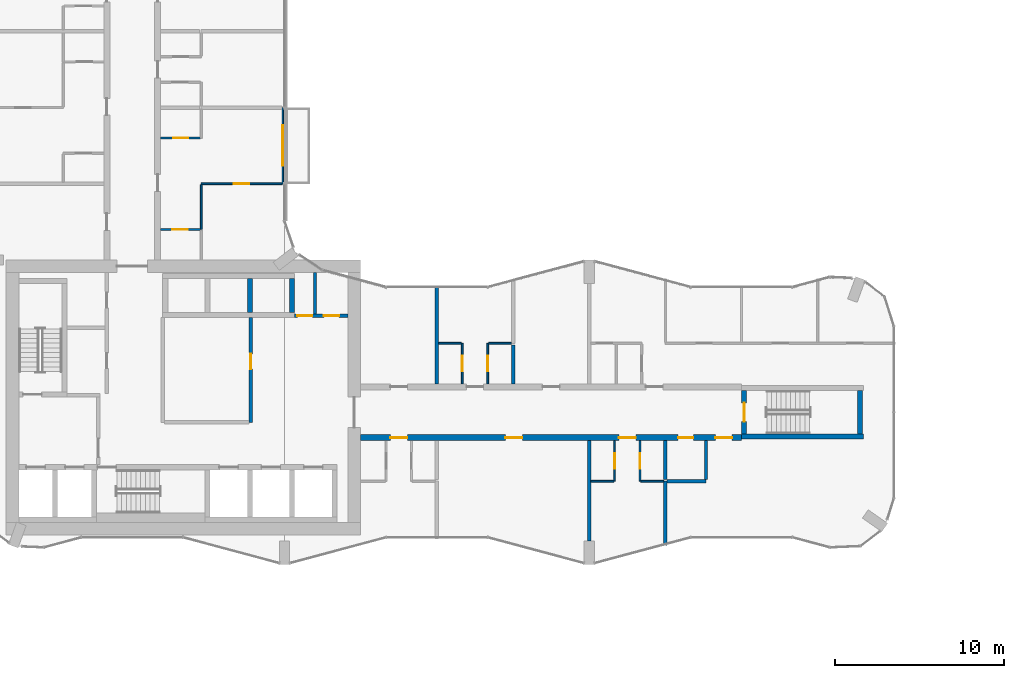
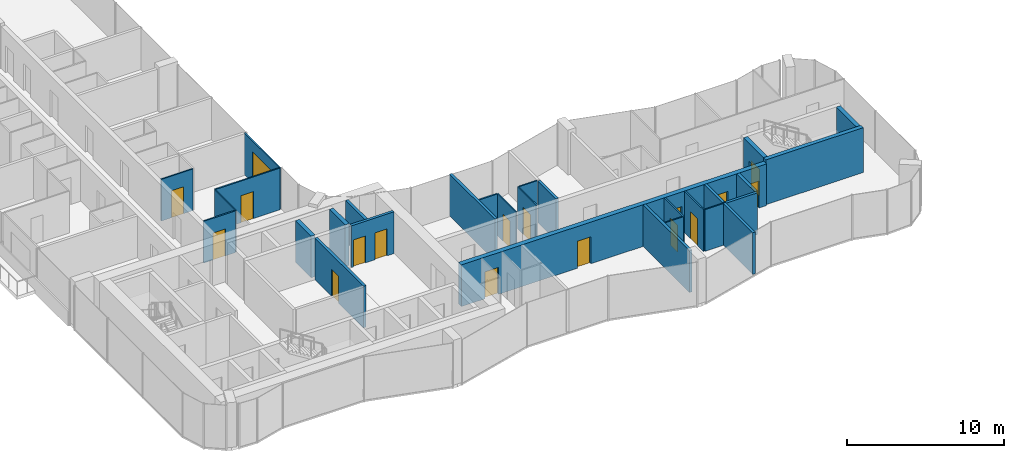
# One storey, part 14 of 22: 29 walls, 17 doors, 17 openings.
"""IFC4 building model written with IfcOpenShell, lengths in metres."""

import ifcopenshell
import ifcopenshell.guid

model = None  # the IFC model being written
_history = None  # IfcOwnerHistory: only IFC2X3 demands one
_inside = {}  # id of a spatial element -> (the spatial element, [elements in it])
_under = {}  # id of a project, library or spatial element -> (it, [spatial elements below it])
_declared = {}  # id of a project -> (the project, [libraries it declares])
_typed = {}  # id of a type object -> (the type object, [elements of that type])
_made_of = {}  # id of a material, layer set ... -> (it, [elements and type objects made of it])


def new_model(schema):
    """Start an empty IFC model of exactly this schema.

    Asked for "IFC4X3", IfcOpenShell would pick the latest addendum, in which some entities
    have other attributes; the version numbers below select the first issue.
    IFC2X3 requires an IfcOwnerHistory on every rooted entity: one is made here for all.
    """
    global model, _history
    if schema == "IFC4X3":
        model = ifcopenshell.file(schema_version=(4, 3, 0, 0))
    else:
        model = ifcopenshell.file(schema=schema)
    _inside.clear()
    _under.clear()
    _declared.clear()
    _typed.clear()
    _made_of.clear()
    _history = None
    if model.schema == "IFC2X3":
        org = make("IfcOrganization", Name="unknown")
        user = make(
            "IfcPersonAndOrganization",
            ThePerson=make("IfcPerson", FamilyName="unknown"),
            TheOrganization=org,
        )
        app = make(
            "IfcApplication",
            ApplicationDeveloper=org,
            Version="unknown",
            ApplicationFullName="unknown",
            ApplicationIdentifier="unknown",
        )
        _history = make(
            "IfcOwnerHistory",
            OwningUser=user,
            OwningApplication=app,
            ChangeAction="ADDED",
            CreationDate=0,
        )
    return model


def make(cls, **values):
    """One entity of the class cls with the attributes given. An attribute that is None is left unset."""
    return model.create_entity(
        cls, **{name: value for name, value in values.items() if value is not None}
    )


def rooted(cls, **values):
    """An entity with a GlobalId (a new one), such as an element, a storey or a relation."""
    return make(cls, GlobalId=ifcopenshell.guid.new(), OwnerHistory=_history, **values)


def si_unit(unit_type, name, prefix=None):
    """IfcSIUnit, for example si_unit("LENGTHUNIT", "METRE", prefix="MILLI")."""
    return make("IfcSIUnit", UnitType=unit_type, Prefix=prefix, Name=name)


def assignment(units):
    """IfcUnitAssignment: the units of a project."""
    return None if units is None else make("IfcUnitAssignment", Units=units)


def point(xyz):
    """IfcCartesianPoint."""
    return None if xyz is None else make("IfcCartesianPoint", Coordinates=xyz)


def direction(xyz):
    """IfcDirection."""
    return None if xyz is None else make("IfcDirection", DirectionRatios=xyz)


def frame(location, z_axis=None, x_axis=None):
    """IfcAxis2Placement3D, a coordinate frame: its origin and axes. An axis left out is left unset."""
    return make(
        "IfcAxis2Placement3D",
        Location=point(location),
        Axis=direction(z_axis),
        RefDirection=direction(x_axis),
    )


def frame_2d(location, x_axis=None):
    """IfcAxis2Placement2D, a coordinate frame in the plane: its origin and x axis."""
    return make(
        "IfcAxis2Placement2D", Location=point(location), RefDirection=direction(x_axis)
    )


def origin():
    """The frame at (0, 0, 0) with its axes left unset."""
    return frame((0.0, 0.0, 0.0))


def place(relative_to, where):
    """IfcLocalPlacement: puts the frame where relative to a parent placement (None: the world)."""
    return make(
        "IfcLocalPlacement", PlacementRelTo=relative_to, RelativePlacement=where
    )


def context(
    kind, dimensions, precision=None, world=None, true_north=None, identifier=None
):
    """IfcGeometricRepresentationContext, for example the 3D "Model" context."""
    return make(
        "IfcGeometricRepresentationContext",
        ContextIdentifier=identifier,
        ContextType=kind,
        CoordinateSpaceDimension=dimensions,
        Precision=precision,
        WorldCoordinateSystem=world,
        TrueNorth=true_north,
    )


def subcontext(parent, identifier, kind, view, scale=None):
    """IfcGeometricRepresentationSubContext, for example "Body" below "Model"."""
    return make(
        "IfcGeometricRepresentationSubContext",
        ContextIdentifier=identifier,
        ContextType=kind,
        ParentContext=parent,
        TargetScale=scale,
        TargetView=view,
    )


def project(units=None, contexts=None):
    """IfcProject with its units and contexts."""
    return rooted(
        "IfcProject",
        Name="project",
        RepresentationContexts=contexts,
        UnitsInContext=assignment(units),
    )


def spatial(cls, under=None, at=None, **own):
    """A site, building, storey or space (cls), placed at a placement, below another one or the project."""
    s = rooted(cls, ObjectPlacement=at, **own)
    if under is not None:
        _under.setdefault(under.id(), (under, []))[1].append(s)
    return s


def profile(cls, at=None, kind="AREA", **sizes):
    """A parametric profile (cls). Its sizes go by their IFC names, for example OverallWidth=200.0."""
    return make(cls, ProfileType=kind, Position=at, **sizes)


def rectangle(**sizes):
    """IfcRectangleProfileDef."""
    return profile("IfcRectangleProfileDef", **sizes)


def extrude(swept, where, along, depth):
    """IfcExtrudedAreaSolid: the profile swept, set in the frame where, extruded along a direction by depth."""
    return make(
        "IfcExtrudedAreaSolid",
        SweptArea=swept,
        Position=where,
        ExtrudedDirection=direction(along),
        Depth=depth,
    )


def shape(context_of_items, identifier, shape_type, items):
    """IfcShapeRepresentation: the items that make up one representation, for example the "Body"."""
    return make(
        "IfcShapeRepresentation",
        ContextOfItems=context_of_items,
        RepresentationIdentifier=identifier,
        RepresentationType=shape_type,
        Items=items,
    )


def material(Name=None, Category=None):
    """IfcMaterial."""
    return make("IfcMaterial", Name=Name, Category=Category)


def layer(
    of_material, thickness, ventilated=None, Name=None, Category=None, Priority=None
):
    """IfcMaterialLayer: one layer of a wall or slab, of a material (None: an air gap)."""
    return make(
        "IfcMaterialLayer",
        Material=of_material,
        LayerThickness=thickness,
        IsVentilated=ventilated,
        Name=Name,
        Category=Category,
        Priority=Priority,
    )


def layer_set(layers, Name=None):
    """IfcMaterialLayerSet."""
    return make("IfcMaterialLayerSet", MaterialLayers=layers, LayerSetName=Name)


def made_of(thing, what):
    """Note that an element or type object is made of a material, layer set ...; save() writes the relation."""
    if what is not None:
        _made_of.setdefault(what.id(), (what, []))[1].append(thing)
    return thing


def type_object(cls, material=None, **own):
    """A type object (cls), such as IfcWallType, which elements share."""
    return made_of(rooted(cls, **own), material)


def element(
    cls,
    number,
    at=None,
    inside=None,
    cuts=None,
    type_object=None,
    material=None,
    context=None,
    identifier="Body",
    shape_type=None,
    held_by="IfcProductDefinitionShape",
    body=None,
    shapes=None,
    **own,
):
    """One element of the class cls, such as IfcWall. Its Tag is "e" and its number.

    at: its placement. inside: the storey or other place that contains it. cuts: it is an
    opening in that element (IfcRelVoidsElement). A single representation is given by context,
    identifier, shape_type and body (its items); several are given by shapes. held_by: the class
    of the entity that holds the representations. save() writes the other relations.
    """
    e = rooted(cls, Tag="e%d" % number, ObjectPlacement=at, **own)
    if body is not None:
        shapes = [shape(context, identifier, shape_type, body)]
    if shapes is not None:
        e.Representation = make(held_by, Representations=shapes)
    if inside is not None:
        _inside.setdefault(inside.id(), (inside, []))[1].append(e)
    if cuts is not None:
        rooted(
            "IfcRelVoidsElement", RelatingBuildingElement=cuts, RelatedOpeningElement=e
        )
    if type_object is not None:
        _typed.setdefault(type_object.id(), (type_object, []))[1].append(e)
    return made_of(e, material)


def fill(opening, filler):
    """IfcRelFillsElement: the door or window that sits in an opening."""
    return rooted(
        "IfcRelFillsElement",
        RelatingOpeningElement=opening,
        RelatedBuildingElement=filler,
    )


def aggregate(whole, parts):
    """IfcRelAggregates: a whole, such as a stair, and the parts it consists of."""
    return rooted("IfcRelAggregates", RelatingObject=whole, RelatedObjects=parts)


def save(model, path):
    """Write the relations noted so far, then the file.

    IfcRelAggregates (storeys below a building ...), IfcRelContainedInSpatialStructure (elements
    in a storey), IfcRelDefinesByType, IfcRelAssociatesMaterial and IfcRelDeclares: one each for
    every whole, place, type object, material and project.
    """
    for whole, parts in _under.values():
        aggregate(whole, parts)
    for where, things in _inside.values():
        rooted(
            "IfcRelContainedInSpatialStructure",
            RelatedElements=things,
            RelatingStructure=where,
        )
    for kind, things in _typed.values():
        rooted("IfcRelDefinesByType", RelatedObjects=things, RelatingType=kind)
    for what, things in _made_of.values():
        rooted("IfcRelAssociatesMaterial", RelatedObjects=things, RelatingMaterial=what)
    for by, libraries in _declared.values():
        rooted("IfcRelDeclares", RelatingContext=by, RelatedDefinitions=libraries)
    model.write(path)


model = new_model("IFC4")

# Units and contexts
model_context = context("Model", 3, precision=1e-05, world=origin(), true_north=direction((0.0, 1.0)))
body_context = subcontext(model_context, "Body", "Model", "MODEL_VIEW")
ifc_project = project(units=[si_unit("LENGTHUNIT", "METRE"), si_unit("AREAUNIT", "SQUARE_METRE"), si_unit("VOLUMEUNIT", "CUBIC_METRE"), si_unit("PLANEANGLEUNIT", "RADIAN"), si_unit("MASSUNIT", "GRAM", prefix="KILO")], contexts=[model_context])

# Site, building, storey
site_placement = place(None, origin())
site = spatial("IfcSite", under=ifc_project, at=site_placement, CompositionType="ELEMENT")
building_placement = place(site_placement, origin())
building = spatial("IfcBuilding", under=site, at=building_placement, Name="Plateau Cross Towers", CompositionType="ELEMENT")
storey_placement = place(building_placement, frame((0.0, 0.0, 54.800048828125)))
storey = spatial("IfcBuildingStorey", under=building, at=storey_placement, Name="L13", CompositionType="ELEMENT", Elevation=54.800048828125)

# Wall, opening, door
ifc_material_1 = material(Name="Aluminium framed glazing", Category="aluminium")
ifc_layer_1 = layer(ifc_material_1, 0.10009765625)
ifc_layer_set_1 = layer_set([ifc_layer_1], Name="Aluminium framed glazing")
wall_type_1 = type_object("IfcWallType", Name="Balcony screen wall 100", PredefinedType="STANDARD", material=ifc_layer_set_1)
wall_1_placement = place(storey_placement, frame((17.89990234375, 27.0, 0.0), z_axis=(0.0, 0.0, 1.0), x_axis=(0.0, -1.0, 0.0)))
wall_1 = element("IfcWall", 1, at=wall_1_placement, inside=storey, type_object=wall_type_1, Name="Balcony screen wall A-BAL-L13-04", PredefinedType="STANDARD", context=body_context, shape_type="SweptSolid", body=[
    extrude(rectangle(XDim=4.5, YDim=0.10009765625, at=frame_2d((2.25, 0.0))), origin(), (0.0, 0.0, 1.0), 3.25),
])
opening_1_placement = place(wall_1_placement, frame((1.050048828125, 0.0, 0.0)))
opening_1 = element("IfcOpeningElement", 2, at=opening_1_placement, cuts=wall_1, Name="Opening D-B24", PredefinedType="OPENING", context=body_context, shape_type="SweptSolid", body=[
    extrude(rectangle(XDim=2.39990234375, YDim=2.39990234375, at=frame_2d((1.199951171875, 1.199951171875))), frame((0.0, 0.06005859375, 0.0), z_axis=(0.0, -1.0, 0.0), x_axis=(1.0, 0.0, 0.0)), (0.0, 0.0, 1.0), 0.1201171875),
])
ifc_material_2 = material(Name="Aluminium frame, double glazing", Category="aluminium")
door_type_1 = type_object("IfcDoorType", Name="Balcony sliding door 2400", OperationType="NOTDEFINED", PredefinedType="DOOR", material=ifc_material_2)
door_1_placement = place(opening_1_placement, origin())
door_1 = element("IfcDoor", 3, at=door_1_placement, inside=storey, type_object=door_type_1, Name="Balcony door A-BAL-L13-04", OperationType="SINGLE_SWING_LEFT", OverallHeight=2.39990234375, OverallWidth=2.39990234375, PredefinedType="DOOR", context=body_context, shape_type="SweptSolid", body=[
    extrude(rectangle(XDim=2.39990234375, YDim=2.39990234375, at=frame_2d((1.199951171875, 1.199951171875))), frame((0.0, 0.02490234375, 0.0), z_axis=(0.0, -1.0, 0.0), x_axis=(1.0, 0.0, 0.0)), (0.0, 0.0, 1.0), 0.050048828125),
])
fill(opening_1, door_1)

ifc_material_3 = material(Name="Concrete block, plastered both sides", Category="concrete")
ifc_layer_2 = layer(ifc_material_3, 0.199951171875)
ifc_layer_set_2 = layer_set([ifc_layer_2], Name="Concrete block, plastered both sides")
wall_type_2 = type_object("IfcWallType", Name="Core partition 200", PredefinedType="PARTITIONING", material=ifc_layer_set_2)
wall_2_placement = place(storey_placement, frame((16.0, 8.39990234375, 0.0), z_axis=(0.0, 0.0, 1.0), x_axis=(0.0, 1.0, 0.0)))
wall_2 = element("IfcWall", 4, at=wall_2_placement, inside=storey, type_object=wall_type_2, Name="Core partition", PredefinedType="PARTITIONING", context=body_context, shape_type="SweptSolid", body=[
    extrude(rectangle(XDim=6.2001953125, YDim=0.199951171875, at=frame_2d((3.10009765625, 0.0))), origin(), (0.0, 0.0, 1.0), 3.25),
])
opening_2_placement = place(wall_2_placement, frame((3.14990234375, 0.0, 0.0)))
opening_2 = element("IfcOpeningElement", 5, at=opening_2_placement, cuts=wall_2, Name="Opening RD1", PredefinedType="OPENING", context=body_context, shape_type="SweptSolid", body=[
    extrude(rectangle(XDim=0.89990234375, YDim=2.10009765625, at=frame_2d((0.449951171875, 1.050048828125))), frame((0.0, 0.10986328125, 0.0), z_axis=(0.0, -1.0, 0.0), x_axis=(1.0, 0.0, 0.0)), (0.0, 0.0, 1.0), 0.219970703125),
])
ifc_material_4 = material(Name="Timber, fire-resisting leaf", Category="wood")
door_type_2 = type_object("IfcDoorType", Name="Core service door 900", OperationType="NOTDEFINED", PredefinedType="DOOR", material=ifc_material_4)
door_2_placement = place(opening_2_placement, origin())
door_2 = element("IfcDoor", 6, at=door_2_placement, inside=storey, type_object=door_type_2, Name="Core service door RD1", OperationType="SINGLE_SWING_LEFT", OverallHeight=2.10009765625, OverallWidth=0.89990234375, PredefinedType="DOOR", context=body_context, shape_type="SweptSolid", body=[
    extrude(rectangle(XDim=0.89990234375, YDim=2.10009765625, at=frame_2d((0.449951171875, 1.050048828125))), frame((0.0, 0.02490234375, 0.0), z_axis=(0.0, -1.0, 0.0), x_axis=(1.0, 0.0, 0.0)), (0.0, 0.0, 1.0), 0.050048828125),
])
fill(opening_2, door_2)

# Wall, openings, doors
wall_3_placement = place(storey_placement, frame((18.60009765625, 14.699951171875, 0.0), z_axis=(0.0, 0.0, 1.0), x_axis=(1.0, 0.0, 0.0)))
wall_3 = element("IfcWall", 7, at=wall_3_placement, inside=storey, type_object=wall_type_2, Name="Core partition", PredefinedType="PARTITIONING", context=body_context, shape_type="SweptSolid", body=[
    extrude(rectangle(XDim=3.14990234375, YDim=0.199951171875, at=frame_2d((1.574951171875, 0.0))), origin(), (0.0, 0.0, 1.0), 3.25),
])
opening_3_placement = place(wall_3_placement, frame((0.14990234375, 0.0, 0.0)))
opening_3 = element("IfcOpeningElement", 8, at=opening_3_placement, cuts=wall_3, Name="Opening RD2", PredefinedType="OPENING", context=body_context, shape_type="SweptSolid", body=[
    extrude(rectangle(XDim=0.89990234375, YDim=2.10009765625, at=frame_2d((0.449951171875, 1.050048828125))), frame((0.0, 0.10986328125, 0.0), z_axis=(0.0, -1.0, 0.0), x_axis=(1.0, 0.0, 0.0)), (0.0, 0.0, 1.0), 0.219970703125),
])
opening_4_placement = place(wall_3_placement, frame((1.72509765625, 0.0, 0.0)))
opening_4 = element("IfcOpeningElement", 9, at=opening_4_placement, cuts=wall_3, Name="Opening RD2", PredefinedType="OPENING", context=body_context, shape_type="SweptSolid", body=[
    extrude(rectangle(XDim=0.89990234375, YDim=2.10009765625, at=frame_2d((0.449951171875, 1.050048828125))), frame((0.0, 0.10986328125, 0.0), z_axis=(0.0, -1.0, 0.0), x_axis=(1.0, 0.0, 0.0)), (0.0, 0.0, 1.0), 0.219970703125),
])
ifc_material_5 = material(Name="Steel, fire-resisting leaf", Category="steel")
door_type_3 = type_object("IfcDoorType", Name="Core riser door 900", OperationType="NOTDEFINED", PredefinedType="DOOR", material=ifc_material_5)
door_3_placement = place(opening_3_placement, origin())
door_3 = element("IfcDoor", 10, at=door_3_placement, inside=storey, type_object=door_type_3, Name="Core riser door RD2", OperationType="SINGLE_SWING_LEFT", OverallHeight=2.10009765625, OverallWidth=0.89990234375, PredefinedType="DOOR", context=body_context, shape_type="SweptSolid", body=[
    extrude(rectangle(XDim=0.89990234375, YDim=2.10009765625, at=frame_2d((0.449951171875, 1.050048828125))), frame((0.0, 0.02490234375, 0.0), z_axis=(0.0, -1.0, 0.0), x_axis=(1.0, 0.0, 0.0)), (0.0, 0.0, 1.0), 0.050048828125),
])
fill(opening_3, door_3)
door_4_placement = place(opening_4_placement, origin())
door_4 = element("IfcDoor", 11, at=door_4_placement, inside=storey, type_object=door_type_3, Name="Core riser door RD2", OperationType="SINGLE_SWING_LEFT", OverallHeight=2.10009765625, OverallWidth=0.89990234375, PredefinedType="DOOR", context=body_context, shape_type="SweptSolid", body=[
    extrude(rectangle(XDim=0.89990234375, YDim=2.10009765625, at=frame_2d((0.449951171875, 1.050048828125))), frame((0.0, 0.02490234375, 0.0), z_axis=(0.0, -1.0, 0.0), x_axis=(1.0, 0.0, 0.0)), (0.0, 0.0, 1.0), 0.050048828125),
])
fill(opening_4, door_4)

# Walls
wall_4_placement = place(storey_placement, frame((19.800048828125, 14.800048828125, 0.0), z_axis=(0.0, 0.0, 1.0), x_axis=(0.0, 1.0, 0.0)))
element("IfcWall", 12, at=wall_4_placement, inside=storey, type_object=wall_type_2, Name="Core partition", PredefinedType="PARTITIONING", context=body_context, shape_type="SweptSolid", body=[
    extrude(rectangle(XDim=2.449951171875, YDim=0.199951171875, at=frame_2d((1.22509765625, 0.0))), origin(), (0.0, 0.0, 1.0), 3.25),
])
ifc_material_6 = material(Name="Concrete C60/75", Category="concrete")
ifc_layer_3 = layer(ifc_material_6, 0.300048828125)
ifc_layer_set_3 = layer_set([ifc_layer_3], Name="Concrete C60/75")
wall_type_3 = type_object("IfcWallType", Name="Core shaft wall 300", PredefinedType="SHEAR", material=ifc_layer_set_3)
for number, where, z_axis, x_axis, name in (
    (13, (15.949951171875, 14.89990234375, 0.0), (0.0, 0.0, 1.0), (0.0, 1.0, 0.0), "A-nb-v3@L13"),
    (14, (18.449951171875, 14.89990234375, 0.0), (0.0, 0.0, 1.0), (0.0, 1.0, 0.0), "A-nb-v4@L13"),
):
    element("IfcWall", number, at=place(storey_placement, frame(where, z_axis=z_axis, x_axis=x_axis)), inside=storey, type_object=wall_type_3, Name=name, PredefinedType="SHEAR", context=body_context, shape_type="SweptSolid", body=[
        extrude(rectangle(XDim=2.0, YDim=0.300048828125, at=frame_2d((1.0, 0.0))), origin(), (0.0, 0.0, 1.0), 3.25),
    ])

# Wall, openings, doors
ifc_layer_4 = layer(ifc_material_6, 0.35009765625)
ifc_layer_set_4 = layer_set([ifc_layer_4], Name="Concrete C60/75")
wall_type_4 = type_object("IfcWallType", Name="Corridor wall 350", PredefinedType="SHEAR", material=ifc_layer_set_4)
wall_5_placement = place(storey_placement, frame((22.5, 7.5, 0.0), z_axis=(0.0, 0.0, 1.0), x_axis=(1.0, 0.0, 0.0)))
wall_5 = element("IfcWall", 15, at=wall_5_placement, inside=storey, type_object=wall_type_4, Name="A-cw-S1@L13", PredefinedType="SHEAR", context=body_context, shape_type="SweptSolid", body=[
    extrude(rectangle(XDim=22.5, YDim=0.35009765625, at=frame_2d((11.25, 0.0))), origin(), (0.0, 0.0, 1.0), 3.25),
])
opening_5_placement = place(wall_5_placement, frame((1.75, 0.0, 0.0)))
opening_5 = element("IfcOpeningElement", 16, at=opening_5_placement, cuts=wall_5, Name="Opening 13-01", PredefinedType="OPENING", context=body_context, shape_type="SweptSolid", body=[
    extrude(rectangle(XDim=1.0, YDim=2.10009765625, at=frame_2d((0.5, 1.050048828125))), frame((0.0, 0.18505859375, 0.0), z_axis=(0.0, -1.0, 0.0), x_axis=(1.0, 0.0, 0.0)), (0.0, 0.0, 1.0), 0.3701171875),
])
opening_6_placement = place(wall_5_placement, frame((8.550048828125, 0.0, 0.0)))
opening_6 = element("IfcOpeningElement", 17, at=opening_6_placement, cuts=wall_5, Name="Opening 13-02", PredefinedType="OPENING", context=body_context, shape_type="SweptSolid", body=[
    extrude(rectangle(XDim=1.0, YDim=2.10009765625, at=frame_2d((0.5, 1.050048828125))), frame((0.0, 0.18505859375, 0.0), z_axis=(0.0, -1.0, 0.0), x_axis=(1.0, 0.0, 0.0)), (0.0, 0.0, 1.0), 0.3701171875),
])
opening_7_placement = place(wall_5_placement, frame((15.25, 0.0, 0.0)))
opening_7 = element("IfcOpeningElement", 18, at=opening_7_placement, cuts=wall_5, Name="Opening 13-03", PredefinedType="OPENING", context=body_context, shape_type="SweptSolid", body=[
    extrude(rectangle(XDim=1.0, YDim=2.10009765625, at=frame_2d((0.5, 1.050048828125))), frame((0.0, 0.18505859375, 0.0), z_axis=(0.0, -1.0, 0.0), x_axis=(1.0, 0.0, 0.0)), (0.0, 0.0, 1.0), 0.3701171875),
])
opening_8_placement = place(wall_5_placement, frame((18.75, 0.0, 0.0)))
opening_8 = element("IfcOpeningElement", 19, at=opening_8_placement, cuts=wall_5, Name="Opening 13-04", PredefinedType="OPENING", context=body_context, shape_type="SweptSolid", body=[
    extrude(rectangle(XDim=0.89990234375, YDim=2.10009765625, at=frame_2d((0.449951171875, 1.050048828125))), frame((0.0, 0.18505859375, 0.0), z_axis=(0.0, -1.0, 0.0), x_axis=(1.0, 0.0, 0.0)), (0.0, 0.0, 1.0), 0.3701171875),
])
opening_9_placement = place(wall_5_placement, frame((20.949951171875, 0.0, 0.0)))
opening_9 = element("IfcOpeningElement", 20, at=opening_9_placement, cuts=wall_5, Name="Opening 13-05", PredefinedType="OPENING", context=body_context, shape_type="SweptSolid", body=[
    extrude(rectangle(XDim=1.0, YDim=2.10009765625, at=frame_2d((0.5, 1.050048828125))), frame((0.0, 0.18505859375, 0.0), z_axis=(0.0, -1.0, 0.0), x_axis=(1.0, 0.0, 0.0)), (0.0, 0.0, 1.0), 0.3701171875),
])
door_type_4 = type_object("IfcDoorType", Name="Flat entrance door 1000", OperationType="NOTDEFINED", PredefinedType="DOOR", material=ifc_material_4)
door_5_placement = place(opening_5_placement, origin())
door_5 = element("IfcDoor", 21, at=door_5_placement, inside=storey, type_object=door_type_4, Name="Door 13-01", OperationType="SINGLE_SWING_LEFT", OverallHeight=2.10009765625, OverallWidth=1.0, PredefinedType="DOOR", context=body_context, shape_type="SweptSolid", body=[
    extrude(rectangle(XDim=1.0, YDim=2.10009765625, at=frame_2d((0.5, 1.050048828125))), frame((0.0, 0.02490234375, 0.0), z_axis=(0.0, -1.0, 0.0), x_axis=(1.0, 0.0, 0.0)), (0.0, 0.0, 1.0), 0.050048828125),
])
fill(opening_5, door_5)
door_6_placement = place(opening_6_placement, origin())
door_6 = element("IfcDoor", 22, at=door_6_placement, inside=storey, type_object=door_type_4, Name="Door 13-02", OperationType="SINGLE_SWING_LEFT", OverallHeight=2.10009765625, OverallWidth=1.0, PredefinedType="DOOR", context=body_context, shape_type="SweptSolid", body=[
    extrude(rectangle(XDim=1.0, YDim=2.10009765625, at=frame_2d((0.5, 1.050048828125))), frame((0.0, 0.02490234375, 0.0), z_axis=(0.0, -1.0, 0.0), x_axis=(1.0, 0.0, 0.0)), (0.0, 0.0, 1.0), 0.050048828125),
])
fill(opening_6, door_6)
door_7_placement = place(opening_7_placement, origin())
door_7 = element("IfcDoor", 23, at=door_7_placement, inside=storey, type_object=door_type_4, Name="Door 13-03", OperationType="SINGLE_SWING_RIGHT", OverallHeight=2.10009765625, OverallWidth=1.0, PredefinedType="DOOR", context=body_context, shape_type="SweptSolid", body=[
    extrude(rectangle(XDim=1.0, YDim=2.10009765625, at=frame_2d((0.5, 1.050048828125))), frame((0.0, 0.02490234375, 0.0), z_axis=(0.0, -1.0, 0.0), x_axis=(1.0, 0.0, 0.0)), (0.0, 0.0, 1.0), 0.050048828125),
])
fill(opening_7, door_7)
door_8_placement = place(opening_9_placement, origin())
door_8 = element("IfcDoor", 24, at=door_8_placement, inside=storey, type_object=door_type_4, Name="Door 13-05", OperationType="SINGLE_SWING_RIGHT", OverallHeight=2.10009765625, OverallWidth=1.0, PredefinedType="DOOR", context=body_context, shape_type="SweptSolid", body=[
    extrude(rectangle(XDim=1.0, YDim=2.10009765625, at=frame_2d((0.5, 1.050048828125))), frame((0.0, 0.02490234375, 0.0), z_axis=(0.0, -1.0, 0.0), x_axis=(1.0, 0.0, 0.0)), (0.0, 0.0, 1.0), 0.050048828125),
])
fill(opening_9, door_8)
door_type_5 = type_object("IfcDoorType", Name="Flat floor service door 900", OperationType="NOTDEFINED", PredefinedType="DOOR", material=ifc_material_4)
door_9_placement = place(opening_8_placement, origin())
door_9 = element("IfcDoor", 25, at=door_9_placement, inside=storey, type_object=door_type_5, Name="Door 13-04", OperationType="SINGLE_SWING_RIGHT", OverallHeight=2.10009765625, OverallWidth=0.89990234375, PredefinedType="DOOR", context=body_context, shape_type="SweptSolid", body=[
    extrude(rectangle(XDim=0.89990234375, YDim=2.10009765625, at=frame_2d((0.449951171875, 1.050048828125))), frame((0.0, 0.02490234375, 0.0), z_axis=(0.0, -1.0, 0.0), x_axis=(1.0, 0.0, 0.0)), (0.0, 0.0, 1.0), 0.050048828125),
])
fill(opening_8, door_9)

# Walls
ifc_material_7 = material(Name="Gypsum board on steel studs", Category="steel")
ifc_layer_5 = layer(ifc_material_7, 0.10009765625)
ifc_layer_set_5 = layer_set([ifc_layer_5], Name="Gypsum board on steel studs")
wall_type_5 = type_object("IfcWallType", Name="Flat partition 100", PredefinedType="PARTITIONING", material=ifc_layer_set_5)
for number, where, z_axis, x_axis, name in (
    (26, (36.10009765625, 4.925048828125, 0.0), (0.0, 0.0, 1.0), (1.0, 0.0, 0.0), "Partition wall"),
    (27, (39.050048828125, 4.925048828125, 0.0), (0.0, 0.0, 1.0), (1.0, 0.0, 0.0), "Partition wall"),
    (28, (28.449951171875, 13.074951171875, 0.0), (0.0, 0.0, 1.0), (-1.0, 0.0, 0.0), "Partition wall"),
    (29, (31.39990234375, 13.074951171875, 0.0), (0.0, 0.0, 1.0), (-1.0, 0.0, 0.0), "Partition wall"),
):
    element("IfcWall", number, at=place(storey_placement, frame(where, z_axis=z_axis, x_axis=x_axis)), inside=storey, type_object=wall_type_5, Name=name, PredefinedType="PARTITIONING", context=body_context, shape_type="SweptSolid", body=[
        extrude(rectangle(XDim=1.349853515625, YDim=0.10009765625, at=frame_2d((0.6748046875, 0.0))), origin(), (0.0, 0.0, 1.0), 3.25),
    ])

# Wall, opening, door
wall_6_placement = place(storey_placement, frame((13.02490234375, 19.800048828125, 0.0), z_axis=(0.0, 0.0, 1.0), x_axis=(-1.0, 0.0, 0.0)))
wall_6 = element("IfcWall", 30, at=wall_6_placement, inside=storey, type_object=wall_type_5, Name="Partition wall", PredefinedType="PARTITIONING", context=body_context, shape_type="SweptSolid", body=[
    extrude(rectangle(XDim=2.349853515625, YDim=0.10009765625, at=frame_2d((1.1748046875, 0.0))), origin(), (0.0, 0.0, 1.0), 3.25),
])
opening_10_placement = place(wall_6_placement, frame((0.75, 0.0, 0.0)))
opening_10 = element("IfcOpeningElement", 31, at=opening_10_placement, cuts=wall_6, Name="Opening 13-41", PredefinedType="OPENING", context=body_context, shape_type="SweptSolid", body=[
    extrude(rectangle(XDim=0.89990234375, YDim=2.10009765625, at=frame_2d((0.449951171875, 1.050048828125))), frame((0.0, 0.06005859375, 0.0), z_axis=(0.0, -1.0, 0.0), x_axis=(1.0, 0.0, 0.0)), (0.0, 0.0, 1.0), 0.1201171875),
])
ifc_material_8 = material(Name="Timber leaf", Category="wood")
door_type_6 = type_object("IfcDoorType", Name="Flat room door 900", OperationType="NOTDEFINED", PredefinedType="DOOR", material=ifc_material_8)
door_10_placement = place(opening_10_placement, origin())
door_10 = element("IfcDoor", 32, at=door_10_placement, inside=storey, type_object=door_type_6, Name="Door 13-41", OperationType="SINGLE_SWING_RIGHT", OverallHeight=2.10009765625, OverallWidth=0.89990234375, PredefinedType="DOOR", context=body_context, shape_type="SweptSolid", body=[
    extrude(rectangle(XDim=0.89990234375, YDim=2.10009765625, at=frame_2d((0.449951171875, 1.050048828125))), frame((0.0, 0.02490234375, 0.0), z_axis=(0.0, -1.0, 0.0), x_axis=(1.0, 0.0, 0.0)), (0.0, 0.0, 1.0), 0.050048828125),
])
fill(opening_10, door_10)

wall_7_placement = place(storey_placement, frame((17.85009765625, 22.5, 0.0), z_axis=(0.0, 0.0, 1.0), x_axis=(-1.0, 0.0, 0.0)))
wall_7 = element("IfcWall", 33, at=wall_7_placement, inside=storey, type_object=wall_type_5, Name="Partition wall", PredefinedType="PARTITIONING", context=body_context, shape_type="SweptSolid", body=[
    extrude(rectangle(XDim=4.775146484375, YDim=0.10009765625, at=frame_2d((2.3876953125, 0.0))), origin(), (0.0, 0.0, 1.0), 3.25),
])
opening_11_placement = place(wall_7_placement, frame((1.949951171875, 0.0, 0.0)))
opening_11 = element("IfcOpeningElement", 34, at=opening_11_placement, cuts=wall_7, Name="Opening 13-43", PredefinedType="OPENING", context=body_context, shape_type="SweptSolid", body=[
    extrude(rectangle(XDim=0.89990234375, YDim=2.10009765625, at=frame_2d((0.449951171875, 1.050048828125))), frame((0.0, 0.06005859375, 0.0), z_axis=(0.0, -1.0, 0.0), x_axis=(1.0, 0.0, 0.0)), (0.0, 0.0, 1.0), 0.1201171875),
])
door_11_placement = place(opening_11_placement, origin())
door_11 = element("IfcDoor", 35, at=door_11_placement, inside=storey, type_object=door_type_6, Name="Door 13-43", OperationType="SINGLE_SWING_RIGHT", OverallHeight=2.10009765625, OverallWidth=0.89990234375, PredefinedType="DOOR", context=body_context, shape_type="SweptSolid", body=[
    extrude(rectangle(XDim=0.89990234375, YDim=2.10009765625, at=frame_2d((0.449951171875, 1.050048828125))), frame((0.0, 0.02490234375, 0.0), z_axis=(0.0, -1.0, 0.0), x_axis=(1.0, 0.0, 0.0)), (0.0, 0.0, 1.0), 0.050048828125),
])
fill(opening_11, door_11)

wall_8_placement = place(storey_placement, frame((10.675048828125, 25.199951171875, 0.0), z_axis=(0.0, 0.0, 1.0), x_axis=(1.0, 0.0, 0.0)))
wall_8 = element("IfcWall", 36, at=wall_8_placement, inside=storey, type_object=wall_type_5, Name="Partition wall", PredefinedType="PARTITIONING", context=body_context, shape_type="SweptSolid", body=[
    extrude(rectangle(XDim=2.349853515625, YDim=0.10009765625, at=frame_2d((1.1748046875, 0.0))), origin(), (0.0, 0.0, 1.0), 3.25),
])
opening_12_placement = place(wall_8_placement, frame((0.75, 0.0, 0.0)))
opening_12 = element("IfcOpeningElement", 37, at=opening_12_placement, cuts=wall_8, Name="Opening 13-42", PredefinedType="OPENING", context=body_context, shape_type="SweptSolid", body=[
    extrude(rectangle(XDim=0.89990234375, YDim=2.10009765625, at=frame_2d((0.449951171875, 1.050048828125))), frame((0.0, 0.06005859375, 0.0), z_axis=(0.0, -1.0, 0.0), x_axis=(1.0, 0.0, 0.0)), (0.0, 0.0, 1.0), 0.1201171875),
])
door_12_placement = place(opening_12_placement, origin())
door_12 = element("IfcDoor", 38, at=door_12_placement, inside=storey, type_object=door_type_6, Name="Door 13-42", OperationType="SINGLE_SWING_RIGHT", OverallHeight=2.10009765625, OverallWidth=0.89990234375, PredefinedType="DOOR", context=body_context, shape_type="SweptSolid", body=[
    extrude(rectangle(XDim=0.89990234375, YDim=2.10009765625, at=frame_2d((0.449951171875, 1.050048828125))), frame((0.0, 0.02490234375, 0.0), z_axis=(0.0, -1.0, 0.0), x_axis=(1.0, 0.0, 0.0)), (0.0, 0.0, 1.0), 0.050048828125),
])
fill(opening_12, door_12)

# Wall
wall_9_placement = place(storey_placement, frame((13.074951171875, 22.449951171875, 0.0), z_axis=(0.0, 0.0, 1.0), x_axis=(0.0, -1.0, 0.0)))
element("IfcWall", 39, at=wall_9_placement, inside=storey, type_object=wall_type_5, Name="Partition wall", PredefinedType="PARTITIONING", context=body_context, shape_type="SweptSolid", body=[
    extrude(rectangle(XDim=2.64990234375, YDim=0.10009765625, at=frame_2d((1.324951171875, 0.0))), origin(), (0.0, 0.0, 1.0), 3.25),
])

# Wall, opening, door
wall_10_placement = place(storey_placement, frame((28.5, 10.675048828125, 0.0), z_axis=(0.0, 0.0, 1.0), x_axis=(0.0, 1.0, 0.0)))
wall_10 = element("IfcWall", 40, at=wall_10_placement, inside=storey, type_object=wall_type_5, Name="Partition wall", PredefinedType="PARTITIONING", context=body_context, shape_type="SweptSolid", body=[
    extrude(rectangle(XDim=2.39990234375, YDim=0.10009765625, at=frame_2d((1.199951171875, 0.0))), origin(), (0.0, 0.0, 1.0), 3.25),
])
opening_13_placement = place(wall_10_placement, frame((0.75, 0.0, 0.0)))
opening_13 = element("IfcOpeningElement", 41, at=opening_13_placement, cuts=wall_10, Name="Opening 13-24", PredefinedType="OPENING", context=body_context, shape_type="SweptSolid", body=[
    extrude(rectangle(XDim=0.89990234375, YDim=2.10009765625, at=frame_2d((0.449951171875, 1.050048828125))), frame((0.0, 0.06005859375, 0.0), z_axis=(0.0, -1.0, 0.0), x_axis=(1.0, 0.0, 0.0)), (0.0, 0.0, 1.0), 0.1201171875),
])
door_13_placement = place(opening_13_placement, origin())
door_13 = element("IfcDoor", 42, at=door_13_placement, inside=storey, type_object=door_type_6, Name="Door 13-24", OperationType="SINGLE_SWING_RIGHT", OverallHeight=2.10009765625, OverallWidth=0.89990234375, PredefinedType="DOOR", context=body_context, shape_type="SweptSolid", body=[
    extrude(rectangle(XDim=0.89990234375, YDim=2.10009765625, at=frame_2d((0.449951171875, 1.050048828125))), frame((0.0, 0.02490234375, 0.0), z_axis=(0.0, -1.0, 0.0), x_axis=(1.0, 0.0, 0.0)), (0.0, 0.0, 1.0), 0.050048828125),
])
fill(opening_13, door_13)

wall_11_placement = place(storey_placement, frame((30.0, 13.074951171875, 0.0), z_axis=(0.0, 0.0, 1.0), x_axis=(0.0, -1.0, 0.0)))
wall_11 = element("IfcWall", 43, at=wall_11_placement, inside=storey, type_object=wall_type_5, Name="Partition wall", PredefinedType="PARTITIONING", context=body_context, shape_type="SweptSolid", body=[
    extrude(rectangle(XDim=2.39990234375, YDim=0.10009765625, at=frame_2d((1.199951171875, 0.0))), origin(), (0.0, 0.0, 1.0), 3.25),
])
opening_14_placement = place(wall_11_placement, frame((0.75, 0.0, 0.0)))
opening_14 = element("IfcOpeningElement", 44, at=opening_14_placement, cuts=wall_11, Name="Opening 13-25", PredefinedType="OPENING", context=body_context, shape_type="SweptSolid", body=[
    extrude(rectangle(XDim=0.89990234375, YDim=2.10009765625, at=frame_2d((0.449951171875, 1.050048828125))), frame((0.0, 0.06005859375, 0.0), z_axis=(0.0, -1.0, 0.0), x_axis=(1.0, 0.0, 0.0)), (0.0, 0.0, 1.0), 0.1201171875),
])
door_14_placement = place(opening_14_placement, origin())
door_14 = element("IfcDoor", 45, at=door_14_placement, inside=storey, type_object=door_type_6, Name="Door 13-25", OperationType="SINGLE_SWING_RIGHT", OverallHeight=2.10009765625, OverallWidth=0.89990234375, PredefinedType="DOOR", context=body_context, shape_type="SweptSolid", body=[
    extrude(rectangle(XDim=0.89990234375, YDim=2.10009765625, at=frame_2d((0.449951171875, 1.050048828125))), frame((0.0, 0.02490234375, 0.0), z_axis=(0.0, -1.0, 0.0), x_axis=(1.0, 0.0, 0.0)), (0.0, 0.0, 1.0), 0.050048828125),
])
fill(opening_14, door_14)

wall_12_placement = place(storey_placement, frame((37.5, 4.925048828125, 0.0), z_axis=(0.0, 0.0, 1.0), x_axis=(0.0, 1.0, 0.0)))
wall_12 = element("IfcWall", 46, at=wall_12_placement, inside=storey, type_object=wall_type_5, Name="Partition wall", PredefinedType="PARTITIONING", context=body_context, shape_type="SweptSolid", body=[
    extrude(rectangle(XDim=2.39990234375, YDim=0.10009765625, at=frame_2d((1.199951171875, 0.0))), origin(), (0.0, 0.0, 1.0), 3.25),
])
opening_15_placement = place(wall_12_placement, frame((0.75, 0.0, 0.0)))
opening_15 = element("IfcOpeningElement", 47, at=opening_15_placement, cuts=wall_12, Name="Opening 13-22", PredefinedType="OPENING", context=body_context, shape_type="SweptSolid", body=[
    extrude(rectangle(XDim=0.89990234375, YDim=2.10009765625, at=frame_2d((0.449951171875, 1.050048828125))), frame((0.0, 0.06005859375, 0.0), z_axis=(0.0, -1.0, 0.0), x_axis=(1.0, 0.0, 0.0)), (0.0, 0.0, 1.0), 0.1201171875),
])
door_15_placement = place(opening_15_placement, origin())
door_15 = element("IfcDoor", 48, at=door_15_placement, inside=storey, type_object=door_type_6, Name="Door 13-22", OperationType="SINGLE_SWING_LEFT", OverallHeight=2.10009765625, OverallWidth=0.89990234375, PredefinedType="DOOR", context=body_context, shape_type="SweptSolid", body=[
    extrude(rectangle(XDim=0.89990234375, YDim=2.10009765625, at=frame_2d((0.449951171875, 1.050048828125))), frame((0.0, 0.02490234375, 0.0), z_axis=(0.0, -1.0, 0.0), x_axis=(1.0, 0.0, 0.0)), (0.0, 0.0, 1.0), 0.050048828125),
])
fill(opening_15, door_15)

wall_13_placement = place(storey_placement, frame((39.0, 7.324951171875, 0.0), z_axis=(0.0, 0.0, 1.0), x_axis=(0.0, -1.0, 0.0)))
wall_13 = element("IfcWall", 49, at=wall_13_placement, inside=storey, type_object=wall_type_5, Name="Partition wall", PredefinedType="PARTITIONING", context=body_context, shape_type="SweptSolid", body=[
    extrude(rectangle(XDim=2.39990234375, YDim=0.10009765625, at=frame_2d((1.199951171875, 0.0))), origin(), (0.0, 0.0, 1.0), 3.25),
])
opening_16_placement = place(wall_13_placement, frame((0.75, 0.0, 0.0)))
opening_16 = element("IfcOpeningElement", 50, at=opening_16_placement, cuts=wall_13, Name="Opening 13-23", PredefinedType="OPENING", context=body_context, shape_type="SweptSolid", body=[
    extrude(rectangle(XDim=0.89990234375, YDim=2.10009765625, at=frame_2d((0.449951171875, 1.050048828125))), frame((0.0, 0.06005859375, 0.0), z_axis=(0.0, -1.0, 0.0), x_axis=(1.0, 0.0, 0.0)), (0.0, 0.0, 1.0), 0.1201171875),
])
door_16_placement = place(opening_16_placement, origin())
door_16 = element("IfcDoor", 51, at=door_16_placement, inside=storey, type_object=door_type_6, Name="Door 13-23", OperationType="SINGLE_SWING_LEFT", OverallHeight=2.10009765625, OverallWidth=0.89990234375, PredefinedType="DOOR", context=body_context, shape_type="SweptSolid", body=[
    extrude(rectangle(XDim=0.89990234375, YDim=2.10009765625, at=frame_2d((0.449951171875, 1.050048828125))), frame((0.0, 0.02490234375, 0.0), z_axis=(0.0, -1.0, 0.0), x_axis=(1.0, 0.0, 0.0)), (0.0, 0.0, 1.0), 0.050048828125),
])
fill(opening_16, door_16)

# Walls
ifc_material_9 = material(Name="Gypsum board on steel studs, two layers each side", Category="steel")
ifc_layer_6 = layer(ifc_material_9, 0.199951171875)
ifc_layer_set_6 = layer_set([ifc_layer_6], Name="Gypsum board on steel studs, two layers each side")
wall_type_6 = type_object("IfcWallType", Name="Flat party wall 200", PredefinedType="PARTITIONING", material=ifc_layer_set_6)
wall_14_placement = place(storey_placement, frame((40.60009765625, 4.925048828125, 0.0), z_axis=(0.0, 0.0, 1.0), x_axis=(1.0, 0.0, 0.0)))
element("IfcWall", 52, at=wall_14_placement, inside=storey, type_object=wall_type_6, Name="Party wall", PredefinedType="PARTITIONING", context=body_context, shape_type="SweptSolid", body=[
    extrude(rectangle(XDim=2.2998046875, YDim=0.199951171875, at=frame_2d((1.14990234375, 0.0))), origin(), (0.0, 0.0, 1.0), 3.25),
])
wall_15_placement = place(storey_placement, frame((27.0, 10.675048828125, 0.0), z_axis=(0.0, 0.0, 1.0), x_axis=(0.0, 1.0, 0.0)))
element("IfcWall", 53, at=wall_15_placement, inside=storey, type_object=wall_type_6, Name="Party wall", PredefinedType="PARTITIONING", context=body_context, shape_type="SweptSolid", body=[
    extrude(rectangle(XDim=5.798095703125, YDim=0.199951171875, at=frame_2d((2.89892578125, 0.0))), origin(), (0.0, 0.0, 1.0), 3.25),
])
wall_16_placement = place(storey_placement, frame((31.5, 10.675048828125, 0.0), z_axis=(0.0, 0.0, 1.0), x_axis=(0.0, 1.0, 0.0)))
element("IfcWall", 54, at=wall_16_placement, inside=storey, type_object=wall_type_6, Name="Party wall", PredefinedType="PARTITIONING", context=body_context, shape_type="SweptSolid", body=[
    extrude(rectangle(XDim=2.300048828125, YDim=0.199951171875, at=frame_2d((1.14990234375, 0.0))), origin(), (0.0, 0.0, 1.0), 3.25),
])
wall_17_placement = place(storey_placement, frame((36.0, 1.39990234375, 0.0), z_axis=(0.0, 0.0, 1.0), x_axis=(0.0, 1.0, 0.0)))
element("IfcWall", 55, at=wall_17_placement, inside=storey, type_object=wall_type_6, Name="Party wall", PredefinedType="PARTITIONING", context=body_context, shape_type="SweptSolid", body=[
    extrude(rectangle(XDim=5.925048828125, YDim=0.199951171875, at=frame_2d((2.96240234375, 0.0))), origin(), (0.0, 0.0, 1.0), 3.25),
])
wall_18_placement = place(storey_placement, frame((40.5, 4.925048828125, 0.0), z_axis=(0.0, 0.0, 1.0), x_axis=(0.0, -1.0, 0.0)))
element("IfcWall", 56, at=wall_18_placement, inside=storey, type_object=wall_type_6, Name="Party wall", PredefinedType="PARTITIONING", context=body_context, shape_type="SweptSolid", body=[
    extrude(rectangle(XDim=3.802734375, YDim=0.199951171875, at=frame_2d((1.9013671875, 0.0))), origin(), (0.0, 0.0, 1.0), 3.25),
])
for number, where, z_axis, x_axis, name in (
    (57, (40.5, 5.02490234375, 0.0), (0.0, 0.0, 1.0), (0.0, 1.0, 0.0), "Party wall"),
    (58, (42.89990234375, 5.02490234375, 0.0), (0.0, 0.0, 1.0), (0.0, 1.0, 0.0), "Party wall"),
):
    element("IfcWall", number, at=place(storey_placement, frame(where, z_axis=z_axis, x_axis=x_axis)), inside=storey, type_object=wall_type_6, Name=name, PredefinedType="PARTITIONING", context=body_context, shape_type="SweptSolid", body=[
        extrude(rectangle(XDim=2.300048828125, YDim=0.199951171875, at=frame_2d((1.14990234375, 0.0))), origin(), (0.0, 0.0, 1.0), 3.25),
    ])

# Wall, opening, door
ifc_layer_7 = layer(ifc_material_6, 0.300048828125)
ifc_layer_set_7 = layer_set([ifc_layer_7], Name="Concrete C60/75")
wall_type_7 = type_object("IfcWallType", Name="Stair tower wall 300", PredefinedType="SHEAR", material=ifc_layer_set_7)
wall_19_placement = place(storey_placement, frame((45.14990234375, 7.72509765625, 0.0), z_axis=(0.0, 0.0, 1.0), x_axis=(0.0, 1.0, 0.0)))
wall_19 = element("IfcWall", 59, at=wall_19_placement, inside=storey, type_object=wall_type_7, Name="A-end-E-W@L13", PredefinedType="SHEAR", context=body_context, shape_type="SweptSolid", body=[
    extrude(rectangle(XDim=2.5498046875, YDim=0.300048828125, at=frame_2d((1.27490234375, 0.0))), origin(), (0.0, 0.0, 1.0), 3.5),
])
opening_17_placement = place(wall_19_placement, frame((0.72509765625, 0.0, 0.0)))
opening_17 = element("IfcOpeningElement", 60, at=opening_17_placement, cuts=wall_19, Name="Opening SD", PredefinedType="OPENING", context=body_context, shape_type="SweptSolid", body=[
    extrude(rectangle(XDim=1.10009765625, YDim=2.10009765625, at=frame_2d((0.550048828125, 1.050048828125))), frame((0.0, 0.159912109375, 0.0), z_axis=(0.0, -1.0, 0.0), x_axis=(1.0, 0.0, 0.0)), (0.0, 0.0, 1.0), 0.320068359375),
])
door_type_7 = type_object("IfcDoorType", Name="Stair door 1100", OperationType="NOTDEFINED", PredefinedType="DOOR", material=ifc_material_5)
door_17_placement = place(opening_17_placement, origin())
door_17 = element("IfcDoor", 61, at=door_17_placement, inside=storey, type_object=door_type_7, Name="Stair door SD", OperationType="SINGLE_SWING_LEFT", OverallHeight=2.10009765625, OverallWidth=1.10009765625, PredefinedType="DOOR", context=body_context, shape_type="SweptSolid", body=[
    extrude(rectangle(XDim=1.10009765625, YDim=2.10009765625, at=frame_2d((0.550048828125, 1.050048828125))), frame((0.0, 0.02490234375, 0.0), z_axis=(0.0, -1.0, 0.0), x_axis=(1.0, 0.0, 0.0)), (0.0, 0.0, 1.0), 0.050048828125),
])
fill(opening_17, door_17)

# Walls
wall_20_placement = place(storey_placement, frame((52.0, 7.72509765625, 0.0), z_axis=(0.0, 0.0, 1.0), x_axis=(0.0, 1.0, 0.0)))
element("IfcWall", 62, at=wall_20_placement, inside=storey, type_object=wall_type_7, Name="A-end-E-E@L13", PredefinedType="SHEAR", context=body_context, shape_type="SweptSolid", body=[
    extrude(rectangle(XDim=2.5498046875, YDim=0.300048828125, at=frame_2d((1.27490234375, 0.0))), origin(), (0.0, 0.0, 1.0), 3.5),
])
wall_21_placement = place(storey_placement, frame((45.0, 7.574951171875, 0.0), z_axis=(0.0, 0.0, 1.0), x_axis=(1.0, 0.0, 0.0)))
element("IfcWall", 63, at=wall_21_placement, inside=storey, type_object=wall_type_7, Name="A-end-E-S@L13", PredefinedType="SHEAR", context=body_context, shape_type="SweptSolid", body=[
    extrude(rectangle(XDim=7.199951171875, YDim=0.300048828125, at=frame_2d((3.60009765625, 0.0))), origin(), (0.0, 0.0, 1.0), 3.5),
])

save(model, "model.ifc")
